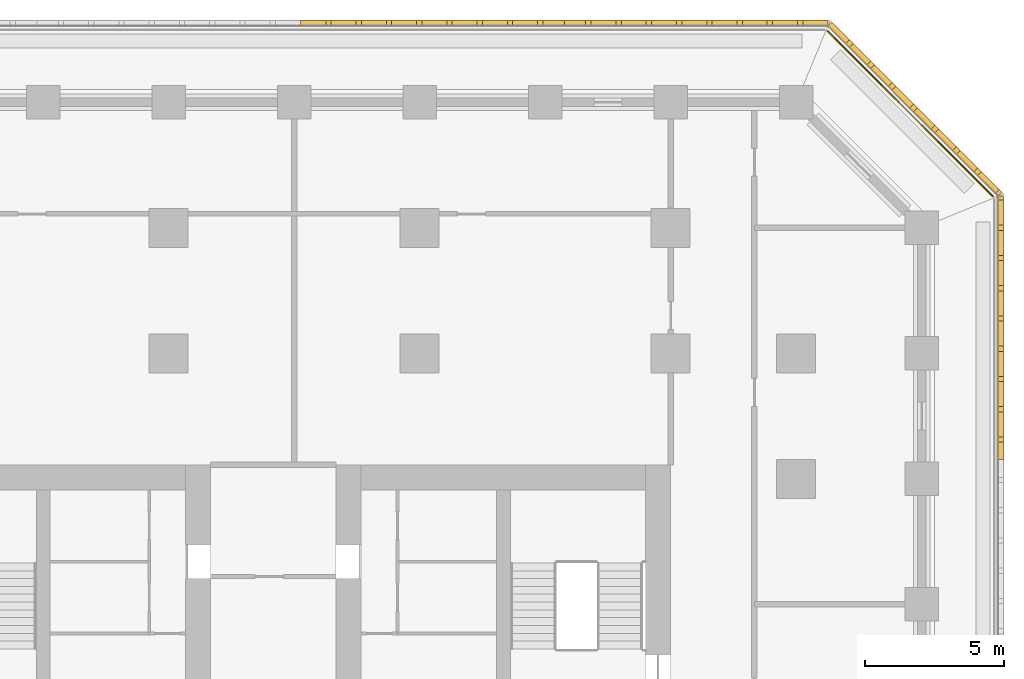
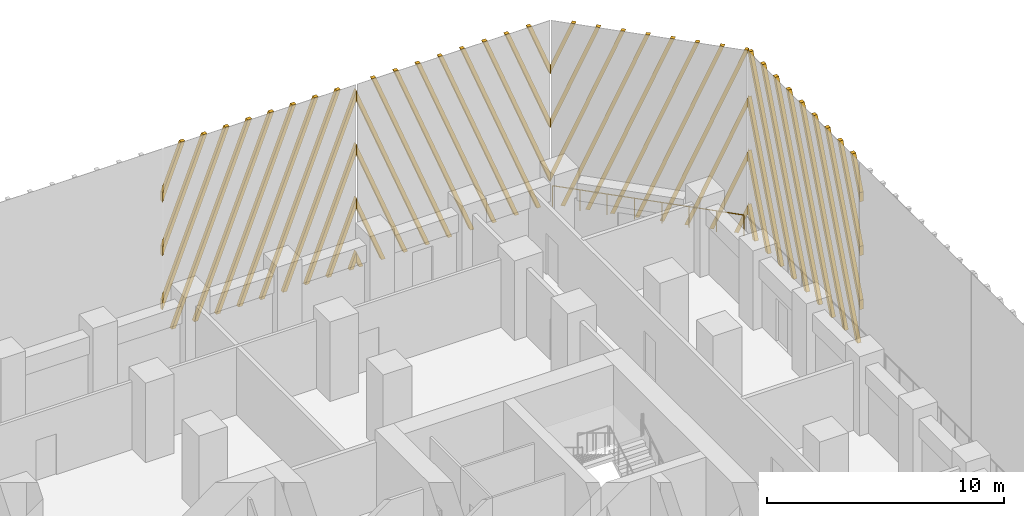
# One storey, part 16 of 17: 4 shading devices, 1 railing.
"""IFC4 building model written with IfcOpenShell, lengths in metres."""

from ifc_helpers import new_model, si_unit, direction, frame, origin, origin_2d, place, context, subcontext, project, spatial, polyline, circle, outline, extrude, source, transform, mapped, material, type_object, element, save


model = new_model("IFC4")

# Units and contexts
model_context = context("Model", 3, precision=1e-05, world=origin(), true_north=direction((0.0, 1.0)))
body_context = subcontext(model_context, "Body", "Model", "MODEL_VIEW")
ifc_project = project(units=[si_unit("LENGTHUNIT", "METRE"), si_unit("AREAUNIT", "SQUARE_METRE"), si_unit("VOLUMEUNIT", "CUBIC_METRE"), si_unit("PLANEANGLEUNIT", "RADIAN"), si_unit("MASSUNIT", "GRAM", prefix="KILO")], contexts=[model_context])

# Site, building, storey
site_placement = place(None, origin())
site = spatial("IfcSite", under=ifc_project, at=site_placement, CompositionType="ELEMENT")
building_placement = place(site_placement, origin())
building = spatial("IfcBuilding", under=site, at=building_placement, Name="Corbel Stack Research Tower", CompositionType="ELEMENT")
storey_placement = place(building_placement, frame((0.0, 0.0, 141.300048828125)))
storey = spatial("IfcBuildingStorey", under=building, at=storey_placement, Name="L32", CompositionType="ELEMENT", Elevation=141.300048828125)

# Railing
ifc_material_1 = material(Name="Powder-coated steel guard", Category="steel")
railing_type = type_object("IfcRailingType", Name="Steel and glass guard 1100", PredefinedType="GUARDRAIL", material=ifc_material_1)
railing_placement = place(storey_placement, frame((29.54931640625, 28.127685546875, 0.0)))
element("IfcRailing", 1, at=railing_placement, inside=storey, type_object=railing_type, Name="Loggia guard L32 NE", PredefinedType="GUARDRAIL", context=body_context, shape_type="SweptSolid", body=[
    extrude(circle(Radius=0.02392578125, at=origin_2d()), frame((0.0, 0.0, 1.076171875), z_axis=(-0.707106781187, 0.707106781187, 0.0), x_axis=(-0.707106781187, -0.707106781187, 0.0)), (0.0, 0.0, 1.0), 8.37451171875),
    extrude(circle(Radius=0.02099609375, at=origin_2d()), origin(), (0.0, 0.0, 1.0), 1.052001953125),
    extrude(circle(Radius=0.02099609375, at=origin_2d()), frame((-0.845947265625, 0.845947265625, 0.0)), (0.0, 0.0, 1.0), 1.052001953125),
    extrude(circle(Radius=0.02099609375, at=origin_2d()), frame((-1.69189453125, 1.69189453125, 0.0)), (0.0, 0.0, 1.0), 1.052001953125),
    extrude(circle(Radius=0.02099609375, at=origin_2d()), frame((-2.537841796875, 2.537841796875, 0.0)), (0.0, 0.0, 1.0), 1.052001953125),
    extrude(circle(Radius=0.02099609375, at=origin_2d()), frame((-3.3837890625, 3.3837890625, 0.0)), (0.0, 0.0, 1.0), 1.052001953125),
    extrude(circle(Radius=0.02099609375, at=origin_2d()), frame((-4.229736328125, 4.229736328125, 0.0)), (0.0, 0.0, 1.0), 1.052001953125),
    extrude(circle(Radius=0.02099609375, at=origin_2d()), frame((-5.07568359375, 5.07568359375, 0.0)), (0.0, 0.0, 1.0), 1.052001953125),
    extrude(circle(Radius=0.02099609375, at=origin_2d()), frame((-5.921630859375, 5.921630859375, 0.0)), (0.0, 0.0, 1.0), 1.052001953125),
])

# Shading devices
ifc_material_2 = material(Name="Precast terracotta", Category="masonry")
shading_device_type = type_object("IfcShadingDeviceType", Name="Terracotta screen panel", PredefinedType="USERDEFINED", material=ifc_material_2)
shared_shape_1 = source(origin(), body_context, "Body", "SweptSolid", [
    extrude(outline(polyline([(0.822509765625, 9.5), (0.63232421875, 9.5), (0.0, 7.880859375), (0.0, 7.394287109375), (0.822509765625, 9.5)])), frame((0.0, 0.0, 0.0), z_axis=(0.0, -1.0, 0.0), x_axis=(1.0, 0.0, 0.0)), (0.0, 0.0, 1.0), 0.179931640625),
    extrude(outline(polyline([(1.906982421875, 9.5), (1.717041015625, 9.5), (0.0, 5.103515625), (0.0, 4.616943359375), (1.906982421875, 9.5)])), frame((0.0, 0.0, 0.0), z_axis=(0.0, -1.0, 0.0), x_axis=(1.0, 0.0, 0.0)), (0.0, 0.0, 1.0), 0.179931640625),
    extrude(outline(polyline([(2.99169921875, 9.5), (2.8017578125, 9.5), (0.0, 2.326171875), (0.0, 1.839599609375), (2.99169921875, 9.5)])), frame((0.0, 0.0, 0.0), z_axis=(0.0, -1.0, 0.0), x_axis=(1.0, 0.0, 0.0)), (0.0, 0.0, 1.0), 0.179931640625),
    extrude(outline(polyline([(0.3662109375, 0.0), (4.076416015625, 9.5), (3.886474609375, 9.5), (0.17626953125, 0.0), (0.3662109375, 0.0)])), frame((0.0, 0.0, 0.0), z_axis=(0.0, -1.0, 0.0), x_axis=(1.0, 0.0, 0.0)), (0.0, 0.0, 1.0), 0.179931640625),
    extrude(outline(polyline([(1.45068359375, 0.0), (5.160888671875, 9.5), (4.970947265625, 9.5), (1.2607421875, 0.0), (1.45068359375, 0.0)])), frame((0.0, 0.0, 0.0), z_axis=(0.0, -1.0, 0.0), x_axis=(1.0, 0.0, 0.0)), (0.0, 0.0, 1.0), 0.179931640625),
    extrude(outline(polyline([(2.535400390625, 0.0), (6.24560546875, 9.5), (6.0556640625, 9.5), (2.345458984375, 0.0), (2.535400390625, 0.0)])), frame((0.0, 0.0, 0.0), z_axis=(0.0, -1.0, 0.0), x_axis=(1.0, 0.0, 0.0)), (0.0, 0.0, 1.0), 0.179931640625),
    extrude(outline(polyline([(3.6201171875, 0.0), (7.330322265625, 9.5), (7.140380859375, 9.5), (3.43017578125, 0.0), (3.6201171875, 0.0)])), frame((0.0, 0.0, 0.0), z_axis=(0.0, -1.0, 0.0), x_axis=(1.0, 0.0, 0.0)), (0.0, 0.0, 1.0), 0.179931640625),
    extrude(outline(polyline([(4.704833984375, 0.0), (8.4150390625, 9.5), (8.22509765625, 9.5), (4.514892578125, 0.0), (4.704833984375, 0.0)])), frame((0.0, 0.0, 0.0), z_axis=(0.0, -1.0, 0.0), x_axis=(1.0, 0.0, 0.0)), (0.0, 0.0, 1.0), 0.179931640625),
    extrude(outline(polyline([(5.78955078125, 0.0), (9.45556640625, 9.38720703125), (9.45556640625, 9.5), (9.309814453125, 9.5), (5.599609375, 0.0), (5.78955078125, 0.0)])), frame((0.0, 0.0, 0.0), z_axis=(0.0, -1.0, 0.0), x_axis=(1.0, 0.0, 0.0)), (0.0, 0.0, 1.0), 0.179931640625),
    extrude(outline(polyline([(6.874267578125, 0.0), (9.45556640625, 6.60986328125), (9.45556640625, 7.096435546875), (6.68408203125, 0.0), (6.874267578125, 0.0)])), frame((0.0, 0.0, 0.0), z_axis=(0.0, -1.0, 0.0), x_axis=(1.0, 0.0, 0.0)), (0.0, 0.0, 1.0), 0.179931640625),
    extrude(outline(polyline([(7.958740234375, 0.0), (9.45556640625, 3.83251953125), (9.45556640625, 4.319091796875), (7.768798828125, 0.0), (7.958740234375, 0.0)])), frame((0.0, 0.0, 0.0), z_axis=(0.0, -1.0, 0.0), x_axis=(1.0, 0.0, 0.0)), (0.0, 0.0, 1.0), 0.179931640625),
    extrude(outline(polyline([(9.04345703125, 0.0), (9.45556640625, 1.055419921875), (9.45556640625, 1.541748046875), (8.853515625, 0.0), (9.04345703125, 0.0)])), frame((0.0, 0.0, 0.0), z_axis=(0.0, -1.0, 0.0), x_axis=(1.0, 0.0, 0.0)), (0.0, 0.0, 1.0), 0.179931640625),
])
shading_device_1_placement = place(storey_placement, frame((29.75, 18.68359375, 0.0), z_axis=(0.0, 0.0, 1.0), x_axis=(0.0, 1.0, 0.0)))
element("IfcShadingDevice", 2, at=shading_device_1_placement, inside=storey, type_object=shading_device_type, Name="Terracotta screen L32 E5", ObjectType="SCREEN", PredefinedType="USERDEFINED", context=body_context, shape_type="MappedRepresentation", body=[
    mapped(shared_shape_1, transform((0.0, 0.0, 0.0))),
])
shared_shape_2 = source(origin(), body_context, "Body", "SweptSolid", [
    extrude(outline(polyline([(0.60205078125, 0.0), (0.0, 1.541748046875), (0.0, 1.055419921875), (0.412109375, 0.0), (0.60205078125, 0.0)])), frame((0.0, 0.0, 0.0), z_axis=(0.0, -1.0, 0.0), x_axis=(1.0, 0.0, 0.0)), (0.0, 0.0, 1.0), 0.179931640625),
    extrude(outline(polyline([(1.686767578125, 0.0), (0.0, 4.319091796875), (0.0, 3.83251953125), (1.496826171875, 0.0), (1.686767578125, 0.0)])), frame((0.0, 0.0, 0.0), z_axis=(0.0, -1.0, 0.0), x_axis=(1.0, 0.0, 0.0)), (0.0, 0.0, 1.0), 0.179931640625),
    extrude(outline(polyline([(2.771484375, 0.0), (0.0, 7.096435546875), (0.0, 6.60986328125), (2.58154296875, 0.0), (2.771484375, 0.0)])), frame((0.0, 0.0, 0.0), z_axis=(0.0, -1.0, 0.0), x_axis=(1.0, 0.0, 0.0)), (0.0, 0.0, 1.0), 0.179931640625),
    extrude(outline(polyline([(3.856201171875, 0.0), (0.14599609375, 9.5), (0.0, 9.5), (0.0, 9.38720703125), (3.666015625, 0.0), (3.856201171875, 0.0)])), frame((0.0, 0.0, 0.0), z_axis=(0.0, -1.0, 0.0), x_axis=(1.0, 0.0, 0.0)), (0.0, 0.0, 1.0), 0.179931640625),
    extrude(outline(polyline([(4.94091796875, 0.0), (1.230712890625, 9.5), (1.04052734375, 9.5), (4.750732421875, 0.0), (4.94091796875, 0.0)])), frame((0.0, 0.0, 0.0), z_axis=(0.0, -1.0, 0.0), x_axis=(1.0, 0.0, 0.0)), (0.0, 0.0, 1.0), 0.179931640625),
    extrude(outline(polyline([(6.025390625, 0.0), (2.315185546875, 9.5), (2.125244140625, 9.5), (5.83544921875, 0.0), (6.025390625, 0.0)])), frame((0.0, 0.0, 0.0), z_axis=(0.0, -1.0, 0.0), x_axis=(1.0, 0.0, 0.0)), (0.0, 0.0, 1.0), 0.179931640625),
    extrude(outline(polyline([(7.110107421875, 0.0), (3.39990234375, 9.5), (3.2099609375, 9.5), (6.920166015625, 0.0), (7.110107421875, 0.0)])), frame((0.0, 0.0, 0.0), z_axis=(0.0, -1.0, 0.0), x_axis=(1.0, 0.0, 0.0)), (0.0, 0.0, 1.0), 0.179931640625),
    extrude(outline(polyline([(8.19482421875, 0.0), (4.484619140625, 9.5), (4.294677734375, 9.5), (8.0048828125, 0.0), (8.19482421875, 0.0)])), frame((0.0, 0.0, 0.0), z_axis=(0.0, -1.0, 0.0), x_axis=(1.0, 0.0, 0.0)), (0.0, 0.0, 1.0), 0.179931640625),
    extrude(outline(polyline([(5.5693359375, 9.5), (5.37939453125, 9.5), (8.64208984375, 1.1455078125), (8.64208984375, 1.6318359375), (5.5693359375, 9.5)])), frame((0.0, 0.0, 0.0), z_axis=(0.0, -1.0, 0.0), x_axis=(1.0, 0.0, 0.0)), (0.0, 0.0, 1.0), 0.179931640625),
    extrude(outline(polyline([(6.65380859375, 9.5), (6.4638671875, 9.5), (8.64208984375, 3.922607421875), (8.64208984375, 4.4091796875), (6.65380859375, 9.5)])), frame((0.0, 0.0, 0.0), z_axis=(0.0, -1.0, 0.0), x_axis=(1.0, 0.0, 0.0)), (0.0, 0.0, 1.0), 0.179931640625),
    extrude(outline(polyline([(7.738525390625, 9.5), (7.548583984375, 9.5), (8.64208984375, 6.699951171875), (8.64208984375, 7.1865234375), (7.738525390625, 9.5)])), frame((0.0, 0.0, 0.0), z_axis=(0.0, -1.0, 0.0), x_axis=(1.0, 0.0, 0.0)), (0.0, 0.0, 1.0), 0.179931640625),
])
shading_device_2_placement = place(storey_placement, frame((29.75, 28.13916015625, 0.0), z_axis=(0.0, 0.0, 1.0), x_axis=(-0.707106781187, 0.707106781187, 0.0)))
element("IfcShadingDevice", 3, at=shading_device_2_placement, inside=storey, type_object=shading_device_type, Name="Terracotta screen L32 NE1", ObjectType="SCREEN", PredefinedType="USERDEFINED", context=body_context, shape_type="MappedRepresentation", body=[
    mapped(shared_shape_2, transform((0.0, 0.0, 0.0))),
])
shared_shape_3 = source(origin(), body_context, "Body", "SweptSolid", [
    extrude(outline(polyline([(1.093505859375, 9.5), (0.903564453125, 9.5), (0.0, 7.1865234375), (0.0, 6.699951171875), (1.093505859375, 9.5)])), frame((0.0, 0.0, 0.0), z_axis=(0.0, -1.0, 0.0), x_axis=(1.0, 0.0, 0.0)), (0.0, 0.0, 1.0), 0.179931640625),
    extrude(outline(polyline([(2.17822265625, 9.5), (1.98828125, 9.5), (0.0, 4.4091796875), (0.0, 3.922607421875), (2.17822265625, 9.5)])), frame((0.0, 0.0, 0.0), z_axis=(0.0, -1.0, 0.0), x_axis=(1.0, 0.0, 0.0)), (0.0, 0.0, 1.0), 0.179931640625),
    extrude(outline(polyline([(3.262939453125, 9.5), (3.072998046875, 9.5), (0.0, 1.6318359375), (0.0, 1.1455078125), (3.262939453125, 9.5)])), frame((0.0, 0.0, 0.0), z_axis=(0.0, -1.0, 0.0), x_axis=(1.0, 0.0, 0.0)), (0.0, 0.0, 1.0), 0.179931640625),
    extrude(outline(polyline([(0.63720703125, 0.0), (4.347412109375, 9.5), (4.157470703125, 9.5), (0.447265625, 0.0), (0.63720703125, 0.0)])), frame((0.0, 0.0, 0.0), z_axis=(0.0, -1.0, 0.0), x_axis=(1.0, 0.0, 0.0)), (0.0, 0.0, 1.0), 0.179931640625),
    extrude(outline(polyline([(1.721923828125, 0.0), (5.43212890625, 9.5), (5.2421875, 9.5), (1.531982421875, 0.0), (1.721923828125, 0.0)])), frame((0.0, 0.0, 0.0), z_axis=(0.0, -1.0, 0.0), x_axis=(1.0, 0.0, 0.0)), (0.0, 0.0, 1.0), 0.179931640625),
    extrude(outline(polyline([(2.806640625, 0.0), (6.516845703125, 9.5), (6.326904296875, 9.5), (2.61669921875, 0.0), (2.806640625, 0.0)])), frame((0.0, 0.0, 0.0), z_axis=(0.0, -1.0, 0.0), x_axis=(1.0, 0.0, 0.0)), (0.0, 0.0, 1.0), 0.179931640625),
    extrude(outline(polyline([(3.891357421875, 0.0), (7.6015625, 9.5), (7.41162109375, 9.5), (3.701416015625, 0.0), (3.891357421875, 0.0)])), frame((0.0, 0.0, 0.0), z_axis=(0.0, -1.0, 0.0), x_axis=(1.0, 0.0, 0.0)), (0.0, 0.0, 1.0), 0.179931640625),
    extrude(outline(polyline([(4.97607421875, 0.0), (8.686279296875, 9.5), (8.49609375, 9.5), (4.785888671875, 0.0), (4.97607421875, 0.0)])), frame((0.0, 0.0, 0.0), z_axis=(0.0, -1.0, 0.0), x_axis=(1.0, 0.0, 0.0)), (0.0, 0.0, 1.0), 0.179931640625),
    extrude(outline(polyline([(6.060791015625, 0.0), (9.45556640625, 8.69287109375), (9.45556640625, 9.179443359375), (5.87060546875, 0.0), (6.060791015625, 0.0)])), frame((0.0, 0.0, 0.0), z_axis=(0.0, -1.0, 0.0), x_axis=(1.0, 0.0, 0.0)), (0.0, 0.0, 1.0), 0.179931640625),
    extrude(outline(polyline([(7.145263671875, 0.0), (9.45556640625, 5.91552734375), (9.45556640625, 6.402099609375), (6.955322265625, 0.0), (7.145263671875, 0.0)])), frame((0.0, 0.0, 0.0), z_axis=(0.0, -1.0, 0.0), x_axis=(1.0, 0.0, 0.0)), (0.0, 0.0, 1.0), 0.179931640625),
    extrude(outline(polyline([(8.22998046875, 0.0), (9.45556640625, 3.13818359375), (9.45556640625, 3.624755859375), (8.0400390625, 0.0), (8.22998046875, 0.0)])), frame((0.0, 0.0, 0.0), z_axis=(0.0, -1.0, 0.0), x_axis=(1.0, 0.0, 0.0)), (0.0, 0.0, 1.0), 0.179931640625),
    extrude(outline(polyline([(9.314697265625, 0.0), (9.45556640625, 0.361083984375), (9.45556640625, 0.847412109375), (9.124755859375, 0.0), (9.314697265625, 0.0)])), frame((0.0, 0.0, 0.0), z_axis=(0.0, -1.0, 0.0), x_axis=(1.0, 0.0, 0.0)), (0.0, 0.0, 1.0), 0.179931640625),
])
shading_device_3_placement = place(storey_placement, frame((23.63916015625, 34.25, 0.0), z_axis=(0.0, 0.0, 1.0), x_axis=(-1.0, 0.0, 0.0)))
element("IfcShadingDevice", 4, at=shading_device_3_placement, inside=storey, type_object=shading_device_type, Name="Terracotta screen L32 N1", ObjectType="SCREEN", PredefinedType="USERDEFINED", context=body_context, shape_type="MappedRepresentation", body=[
    mapped(shared_shape_3, transform((0.0, 0.0, 0.0))),
])
shared_shape_4 = source(origin(), body_context, "Body", "SweptSolid", [
    extrude(outline(polyline([(0.3310546875, 0.0), (0.0, 0.847412109375), (0.0, 0.361083984375), (0.14111328125, 0.0), (0.3310546875, 0.0)])), frame((0.0, 0.0, 0.0), z_axis=(0.0, -1.0, 0.0), x_axis=(1.0, 0.0, 0.0)), (0.0, 0.0, 1.0), 0.179931640625),
    extrude(outline(polyline([(1.41552734375, 0.0), (0.0, 3.624755859375), (0.0, 3.13818359375), (1.2255859375, 0.0), (1.41552734375, 0.0)])), frame((0.0, 0.0, 0.0), z_axis=(0.0, -1.0, 0.0), x_axis=(1.0, 0.0, 0.0)), (0.0, 0.0, 1.0), 0.179931640625),
    extrude(outline(polyline([(2.500244140625, 0.0), (0.0, 6.402099609375), (0.0, 5.91552734375), (2.310302734375, 0.0), (2.500244140625, 0.0)])), frame((0.0, 0.0, 0.0), z_axis=(0.0, -1.0, 0.0), x_axis=(1.0, 0.0, 0.0)), (0.0, 0.0, 1.0), 0.179931640625),
    extrude(outline(polyline([(3.5849609375, 0.0), (0.0, 9.179443359375), (0.0, 8.69287109375), (3.39501953125, 0.0), (3.5849609375, 0.0)])), frame((0.0, 0.0, 0.0), z_axis=(0.0, -1.0, 0.0), x_axis=(1.0, 0.0, 0.0)), (0.0, 0.0, 1.0), 0.179931640625),
    extrude(outline(polyline([(4.669677734375, 0.0), (0.95947265625, 9.5), (0.769287109375, 9.5), (4.4794921875, 0.0), (4.669677734375, 0.0)])), frame((0.0, 0.0, 0.0), z_axis=(0.0, -1.0, 0.0), x_axis=(1.0, 0.0, 0.0)), (0.0, 0.0, 1.0), 0.179931640625),
    extrude(outline(polyline([(5.75439453125, 0.0), (2.044189453125, 9.5), (1.85400390625, 9.5), (5.564208984375, 0.0), (5.75439453125, 0.0)])), frame((0.0, 0.0, 0.0), z_axis=(0.0, -1.0, 0.0), x_axis=(1.0, 0.0, 0.0)), (0.0, 0.0, 1.0), 0.179931640625),
    extrude(outline(polyline([(6.839111328125, 0.0), (3.12890625, 9.5), (2.938720703125, 9.5), (6.64892578125, 0.0), (6.839111328125, 0.0)])), frame((0.0, 0.0, 0.0), z_axis=(0.0, -1.0, 0.0), x_axis=(1.0, 0.0, 0.0)), (0.0, 0.0, 1.0), 0.179931640625),
    extrude(outline(polyline([(7.923583984375, 0.0), (4.21337890625, 9.5), (4.0234375, 9.5), (7.733642578125, 0.0), (7.923583984375, 0.0)])), frame((0.0, 0.0, 0.0), z_axis=(0.0, -1.0, 0.0), x_axis=(1.0, 0.0, 0.0)), (0.0, 0.0, 1.0), 0.179931640625),
    extrude(outline(polyline([(9.00830078125, 0.0), (5.298095703125, 9.5), (5.108154296875, 9.5), (8.818359375, 0.0), (9.00830078125, 0.0)])), frame((0.0, 0.0, 0.0), z_axis=(0.0, -1.0, 0.0), x_axis=(1.0, 0.0, 0.0)), (0.0, 0.0, 1.0), 0.179931640625),
    extrude(outline(polyline([(6.3828125, 9.5), (6.19287109375, 9.5), (9.45556640625, 1.1455078125), (9.45556640625, 1.6318359375), (6.3828125, 9.5)])), frame((0.0, 0.0, 0.0), z_axis=(0.0, -1.0, 0.0), x_axis=(1.0, 0.0, 0.0)), (0.0, 0.0, 1.0), 0.179931640625),
    extrude(outline(polyline([(7.46728515625, 9.5), (7.27734375, 9.5), (9.45556640625, 3.922607421875), (9.45556640625, 4.4091796875), (7.46728515625, 9.5)])), frame((0.0, 0.0, 0.0), z_axis=(0.0, -1.0, 0.0), x_axis=(1.0, 0.0, 0.0)), (0.0, 0.0, 1.0), 0.179931640625),
    extrude(outline(polyline([(8.552001953125, 9.5), (8.362060546875, 9.5), (9.45556640625, 6.699951171875), (9.45556640625, 7.1865234375), (8.552001953125, 9.5)])), frame((0.0, 0.0, 0.0), z_axis=(0.0, -1.0, 0.0), x_axis=(1.0, 0.0, 0.0)), (0.0, 0.0, 1.0), 0.179931640625),
])
shading_device_4_placement = place(storey_placement, frame((14.18359375, 34.25, 0.0), z_axis=(0.0, 0.0, 1.0), x_axis=(-1.0, 0.0, 0.0)))
element("IfcShadingDevice", 5, at=shading_device_4_placement, inside=storey, type_object=shading_device_type, Name="Terracotta screen L32 N2", ObjectType="SCREEN", PredefinedType="USERDEFINED", context=body_context, shape_type="MappedRepresentation", body=[
    mapped(shared_shape_4, transform((0.0, 0.0, 0.0))),
])

save(model, "model.ifc")
